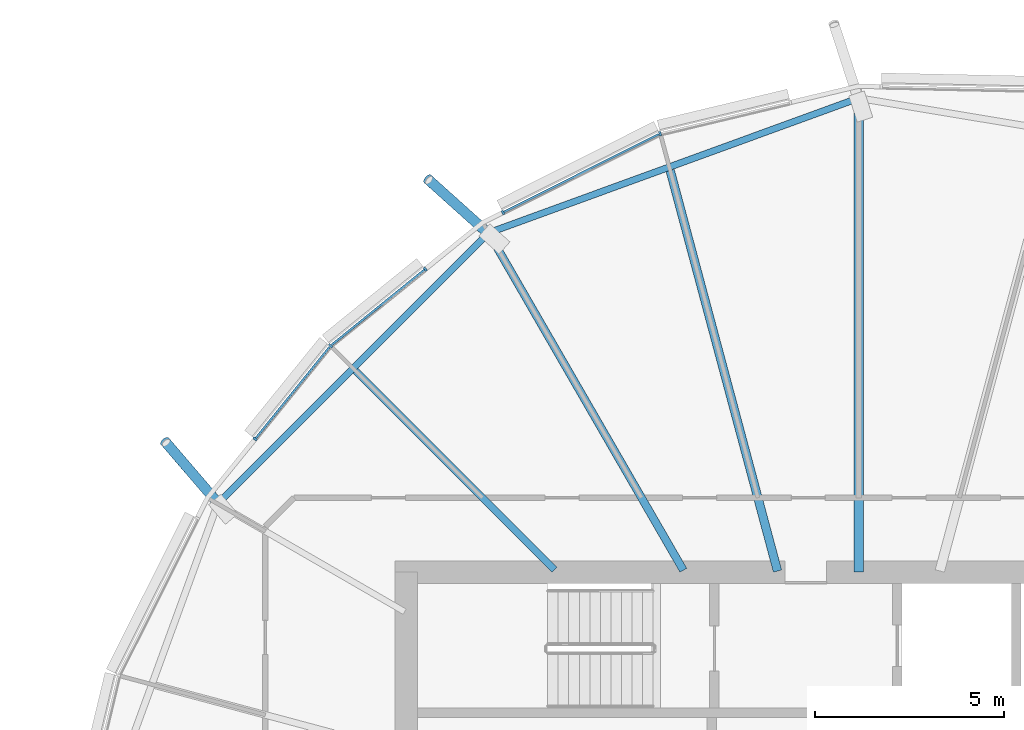
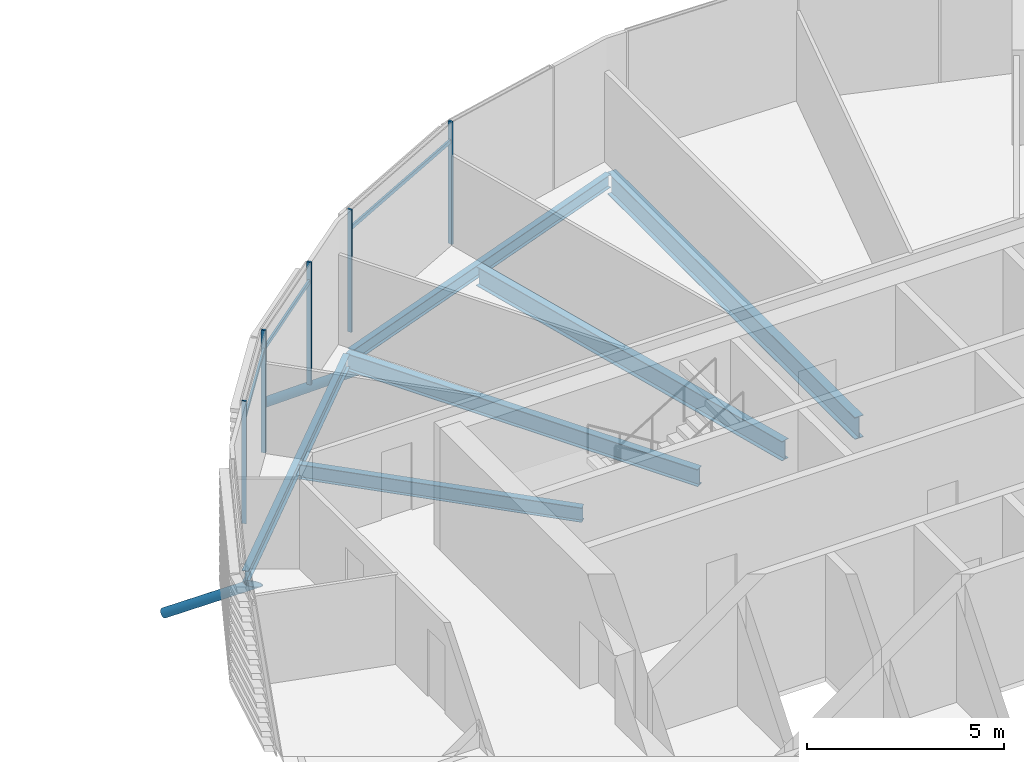
# One storey, part 15 of 36: 10 members, 6 beams, 1 element without a shape of its own.
"""IFC4 building model written with IfcOpenShell, lengths in metres."""

from ifc_helpers import new_model, si_unit, direction, frame, origin, origin_2d, place, context, subcontext, project, spatial, rectangle, hollow_circle, i_section, extrude, clip, halfspace, material, material_profile, profile_set, type_object, element, aggregate, save


model = new_model("IFC4")

# Units and contexts
model_context = context("Model", 3, precision=1e-05, world=origin(), true_north=direction((0.0, 1.0)))
body_context = subcontext(model_context, "Body", "Model", "MODEL_VIEW")
ifc_project = project(units=[si_unit("LENGTHUNIT", "METRE"), si_unit("AREAUNIT", "SQUARE_METRE"), si_unit("VOLUMEUNIT", "CUBIC_METRE"), si_unit("PLANEANGLEUNIT", "RADIAN"), si_unit("MASSUNIT", "GRAM", prefix="KILO")], contexts=[model_context])

# Site, building, storey
site_placement = place(None, origin())
site = spatial("IfcSite", under=ifc_project, at=site_placement, CompositionType="ELEMENT")
building_placement = place(site_placement, origin())
building = spatial("IfcBuilding", under=site, at=building_placement, Name="Rimbun Link Towers", CompositionType="ELEMENT")
storey_placement = place(building_placement, frame((0.0, 0.0, 174.10009765625)))
storey = spatial("IfcBuildingStorey", under=building, at=storey_placement, Name="L42", CompositionType="ELEMENT", Elevation=174.10009765625)

# Curtain wall, members
ifc_material_1 = material(Name="Aluminium 6063-T6 and low-iron glass", Category="aluminium")
curtain_wall_type = type_object("IfcCurtainWallType", Name="CW1-Z3 unitised vision wall (zone 3)", PredefinedType="NOTDEFINED", material=ifc_material_1)
curtain_wall_placement = place(storey_placement, origin())
curtain_wall = element("IfcCurtainWall", 1, at=curtain_wall_placement, inside=storey, type_object=curtain_wall_type, Name="CW1 L42 T2", PredefinedType="NOTDEFINED")
ifc_material_2 = material(Name="Aluminium 6063-T6", Category="aluminium")
ifc_material_profile_1 = material_profile(ifc_material_2, rectangle(XDim=0.1201171875, YDim=0.06005859375, at=origin_2d()), Name="MULLION 60X120")
ifc_profile_set_1 = profile_set([ifc_material_profile_1], Name="Aluminium 6063-T6")
member_type_1 = type_object("IfcMemberType", Name="CW1 mullion 60X120", PredefinedType="MULLION", material=ifc_profile_set_1)
member_1_placement = place(storey_placement, frame((26.4833984375, 19.634765625, 0.0), z_axis=(0.0, 0.0, 1.0), x_axis=(-0.342962048977, 0.939349260372, 0.0)))
member_1 = element("IfcMember", 2, at=member_1_placement, type_object=member_type_1, Name="CW1 mullion", PredefinedType="MULLION", context=body_context, shape_type="SweptSolid", body=[
    extrude(rectangle(XDim=0.1201171875, YDim=0.06005859375, at=origin_2d()), origin(), (0.0, 0.0, 1.0), 3.7998046875),
])
member_2_placement = place(storey_placement, frame((22.317138671875, 17.54296875, 0.0), z_axis=(0.0, 0.0, 1.0), x_axis=(-0.44877333613, 0.893645619235, 0.0)))
member_2 = element("IfcMember", 3, at=member_2_placement, type_object=member_type_1, Name="CW1 mullion", PredefinedType="MULLION", context=body_context, shape_type="SweptSolid", body=[
    extrude(rectangle(XDim=0.1201171875, YDim=0.06005859375, at=origin_2d()), origin(), (0.0, 0.0, 1.0), 3.7998046875),
])
member_3_placement = place(storey_placement, frame((17.7431640625, 14.0068359375, 0.0), z_axis=(0.0, 0.0, 1.0), x_axis=(-0.707106781187, 0.707106781187, 0.0)))
member_3 = element("IfcMember", 4, at=member_3_placement, type_object=member_type_1, Name="CW1 mullion", PredefinedType="MULLION", context=body_context, shape_type="SweptSolid", body=[
    extrude(rectangle(XDim=0.1201171875, YDim=0.06005859375, at=origin_2d()), origin(), (0.0, 0.0, 1.0), 3.7998046875),
])
member_4_placement = place(storey_placement, frame((20.25439453125, 16.0400390625, 0.0), z_axis=(0.0, 0.0, 1.0), x_axis=(-0.629157646962, 0.777277720811, 0.0)))
member_4 = element("IfcMember", 5, at=member_4_placement, type_object=member_type_1, Name="CW1 mullion", PredefinedType="MULLION", context=body_context, shape_type="SweptSolid", body=[
    extrude(rectangle(XDim=0.1201171875, YDim=0.06005859375, at=origin_2d()), origin(), (0.0, 0.0, 1.0), 3.7998046875),
])
member_5_placement = place(storey_placement, frame((15.741455078125, 11.534423828125, 0.0), z_axis=(0.0, 0.0, 1.0), x_axis=(-0.777277720811, 0.629157646962, 0.0)))
member_5 = element("IfcMember", 6, at=member_5_placement, type_object=member_type_1, Name="CW1 mullion", PredefinedType="MULLION", context=body_context, shape_type="SweptSolid", body=[
    extrude(rectangle(XDim=0.1201171875, YDim=0.06005859375, at=origin_2d()), origin(), (0.0, 0.0, 1.0), 3.7998046875),
])
ifc_material_3 = material(Name="Aluminium 6063-T6", Category="aluminium")
ifc_material_profile_2 = material_profile(ifc_material_3, rectangle(XDim=0.06005859375, YDim=0.1201171875, at=origin_2d()), Name="TRANSOM 60X120")
ifc_profile_set_2 = profile_set([ifc_material_profile_2], Name="Aluminium 6063-T6")
member_type_2 = type_object("IfcMemberType", Name="CW1 transom 60X120", PredefinedType="USERDEFINED", material=ifc_profile_set_2)
member_6_placement = place(storey_placement, frame((22.344970703125, 17.5546875, 3.199951171875), z_axis=(0.893628789195, 0.448806848346, 0.0), x_axis=(-0.448806848346, 0.893628789195, 0.0)))
member_6 = element("IfcMember", 7, at=member_6_placement, type_object=member_type_2, Name="CW1 transom", ObjectType="TRANSOM", PredefinedType="USERDEFINED", context=body_context, shape_type="SweptSolid", body=[
    extrude(rectangle(XDim=0.06005859375, YDim=0.1201171875, at=origin_2d()), origin(), (0.0, 0.0, 1.0), 4.594970703125),
])
member_7_placement = place(storey_placement, frame((17.7724609375, 14.0283203125, 3.199951171875), z_axis=(0.777273612878, 0.629162721976, 0.0), x_axis=(-0.629162721976, 0.777273612878, 0.0)))
member_7 = element("IfcMember", 8, at=member_7_placement, type_object=member_type_2, Name="CW1 transom", ObjectType="TRANSOM", PredefinedType="USERDEFINED", context=body_context, shape_type="SweptSolid", body=[
    extrude(rectangle(XDim=0.06005859375, YDim=0.1201171875, at=origin_2d()), origin(), (0.0, 0.0, 1.0), 3.164794921875),
])
member_8_placement = place(storey_placement, frame((15.761962890625, 11.556396484375, 3.199951171875), z_axis=(0.629148623112, 0.777285024966, 0.0), x_axis=(-0.777285024966, 0.629148623112, 0.0)))
member_8 = element("IfcMember", 9, at=member_8_placement, type_object=member_type_2, Name="CW1 transom", ObjectType="TRANSOM", PredefinedType="USERDEFINED", context=body_context, shape_type="SweptSolid", body=[
    extrude(rectangle(XDim=0.06005859375, YDim=0.1201171875, at=origin_2d()), origin(), (0.0, 0.0, 1.0), 3.114990234375),
])
aggregate(curtain_wall, [member_1, member_2, member_3, member_4, member_5, member_6, member_7, member_8])

# Members
ifc_material_4 = material(Name="Steel S355J2H", Category="steel")
ifc_material_profile_3 = material_profile(ifc_material_4, hollow_circle(Radius=0.136474609375, WallThickness=0.012451171875, at=origin_2d()), Name="CHS 273x12.5")
ifc_profile_set_3 = profile_set([ifc_material_profile_3], Name="Steel S355J2H")
member_type_3 = type_object("IfcMemberType", Name="Floor edge link CHS 273x12.5", PredefinedType="BRACE", material=ifc_profile_set_3)
member_9_placement = place(storey_placement, frame((21.95947265625, 16.957763671875, -0.8017578125), z_axis=(-0.648522207898, 0.582409319216, -0.490120730794), x_axis=(-0.668165288161, -0.744012867964, 0.0)))
element("IfcMember", 10, at=member_9_placement, inside=storey, type_object=member_type_3, Name="Floor edge link T2 L42 05", PredefinedType="BRACE", context=body_context, shape_type="Clipping", body=[
    clip(extrude(hollow_circle(Radius=0.136474609375, WallThickness=0.012451171875, at=origin_2d()), frame((0.0, 0.0, -0.505859375)), (0.0, 0.0, 1.0), 3.042724609375), halfspace(frame((0.0, 0.0, -0.23779296875), z_axis=(0.0, 0.871654558438, -0.490120730794)), False)),
])
member_10_placement = place(storey_placement, frame((14.792236328125, 9.79052734375, -0.56982421875), z_axis=(-0.556526662892, 0.648842403257, -0.518923509994), x_axis=(-0.759039200027, -0.651044923813, 0.0)))
element("IfcMember", 11, at=member_10_placement, inside=storey, type_object=member_type_3, Name="Floor edge link T2 L42 07", PredefinedType="BRACE", context=body_context, shape_type="Clipping", body=[
    clip(extrude(hollow_circle(Radius=0.136474609375, WallThickness=0.012451171875, at=origin_2d()), frame((0.0, 0.0, -0.468994140625)), (0.0, 0.0, 1.0), 3.06591796875), halfspace(frame((0.0, 0.0, -0.22021484375), z_axis=(0.0, 0.854820677555, -0.518923509994)), False)),
])

# Beams
ifc_material_5 = material(Name="Steel S355J2", Category="steel")
ifc_material_profile_4 = material_profile(ifc_material_5, i_section(OverallWidth=0.177978515625, OverallDepth=0.406494140625, WebThickness=0.0078125, FlangeThickness=0.0126953125, at=origin_2d()), Name="UB 406x178x60")
ifc_profile_set_4 = profile_set([ifc_material_profile_4], Name="Steel S355J2")
beam_type_1 = type_object("IfcBeamType", Name="UB 406x178x60", PredefinedType="BEAM", material=ifc_profile_set_4)
beam_1_placement = place(storey_placement, frame((31.622314453125, 20.529541015625, -0.353271484375), z_axis=(-0.939613749302, -0.342236763255, 0.0), x_axis=(0.342236763255, -0.939613749302, 0.0)))
element("IfcBeam", 12, at=beam_1_placement, inside=storey, type_object=beam_type_1, Name="Edge beam T2 L42 03-05", PredefinedType="BEAM", context=body_context, shape_type="SweptSolid", body=[
    extrude(i_section(OverallWidth=0.177978515625, OverallDepth=0.406494140625, WebThickness=0.0078125, FlangeThickness=0.0126953125, at=origin_2d()), origin(), (0.0, 0.0, 1.0), 10.203369140625),
])
beam_2_placement = place(storey_placement, frame((21.857177734375, 16.923583984375, -0.353271484375), z_axis=(-0.707119029808, -0.707094532353, 0.0), x_axis=(0.707094532353, -0.707119029808, 0.0)))
element("IfcBeam", 13, at=beam_2_placement, inside=storey, type_object=beam_type_1, Name="Edge beam T2 L42 05-07", PredefinedType="BEAM", context=body_context, shape_type="SweptSolid", body=[
    extrude(i_section(OverallWidth=0.177978515625, OverallDepth=0.406494140625, WebThickness=0.0078125, FlangeThickness=0.0126953125, at=origin_2d()), origin(), (0.0, 0.0, 1.0), 9.966064453125),
])
ifc_material_6 = material(Name="Steel S355J2", Category="steel")
ifc_material_profile_5 = material_profile(ifc_material_6, i_section(OverallWidth=0.18994140625, OverallDepth=0.453369140625, WebThickness=0.008544921875, FlangeThickness=0.0126953125, at=origin_2d()), Name="UB 457x191x67")
ifc_profile_set_5 = profile_set([ifc_material_profile_5], Name="Steel S355J2")
beam_type_2 = type_object("IfcBeamType", Name="UB 457x191x67", PredefinedType="BEAM", material=ifc_profile_set_5)
beam_3_placement = place(storey_placement, frame((23.68212890625, 8.06787109375, -0.376708984375), z_axis=(-0.707106781187, 0.707106781187, 0.0), x_axis=(-0.707106781187, -0.707106781187, 0.0)))
element("IfcBeam", 14, at=beam_3_placement, inside=storey, type_object=beam_type_2, Name="Radial beam T2 L42 06", PredefinedType="BEAM", context=body_context, shape_type="SweptSolid", body=[
    extrude(i_section(OverallWidth=0.18994140625, OverallDepth=0.453369140625, WebThickness=0.008544921875, FlangeThickness=0.0126953125, at=origin_2d()), origin(), (0.0, 0.0, 1.0), 7.462646484375),
])
ifc_material_7 = material(Name="Steel S355J2", Category="steel")
ifc_material_profile_6 = material_profile(ifc_material_7, i_section(OverallWidth=0.209228515625, OverallDepth=0.533203125, WebThickness=0.010009765625, FlangeThickness=0.015625, at=origin_2d()), Name="UB 533x210x92")
ifc_profile_set_6 = profile_set([ifc_material_profile_6], Name="Steel S355J2")
beam_type_3 = type_object("IfcBeamType", Name="UB 533x210x92", PredefinedType="BEAM", material=ifc_profile_set_6)
beam_4_placement = place(storey_placement, frame((27.1005859375, 8.05322265625, -0.416748046875), z_axis=(-0.500001996123, 0.866024251319, 0.0), x_axis=(-0.866024251319, -0.500001996123, 0.0)))
element("IfcBeam", 15, at=beam_4_placement, inside=storey, type_object=beam_type_3, Name="Radial beam T2 L42 05", PredefinedType="BEAM", context=body_context, shape_type="SweptSolid", body=[
    extrude(i_section(OverallWidth=0.209228515625, OverallDepth=0.533203125, WebThickness=0.010009765625, FlangeThickness=0.015625, at=origin_2d()), origin(), (0.0, 0.0, 1.0), 10.33203125),
])
ifc_material_8 = material(Name="Steel S355J2", Category="steel")
ifc_material_profile_7 = material_profile(ifc_material_8, i_section(OverallWidth=0.2275390625, OverallDepth=0.6025390625, WebThickness=0.010498046875, FlangeThickness=0.014892578125, at=origin_2d()), Name="UB 610x229x101")
ifc_profile_set_7 = profile_set([ifc_material_profile_7], Name="Steel S355J2")
beam_type_4 = type_object("IfcBeamType", Name="UB 610x229x101", PredefinedType="BEAM", material=ifc_profile_set_7)
beam_5_placement = place(storey_placement, frame((29.598388671875, 8.030517578125, -0.451416015625), z_axis=(-0.258836266354, 0.965921211704, 0.0), x_axis=(-0.965921211704, -0.258836266354, 0.0)))
element("IfcBeam", 16, at=beam_5_placement, inside=storey, type_object=beam_type_4, Name="Radial beam T2 L42 04", PredefinedType="BEAM", context=body_context, shape_type="SweptSolid", body=[
    extrude(i_section(OverallWidth=0.2275390625, OverallDepth=0.6025390625, WebThickness=0.010498046875, FlangeThickness=0.014892578125, at=origin_2d()), origin(), (0.0, 0.0, 1.0), 11.003662109375),
])
ifc_material_9 = material(Name="Steel S355J2", Category="steel")
ifc_material_profile_8 = material_profile(ifc_material_9, i_section(OverallWidth=0.253662109375, OverallDepth=0.68359375, WebThickness=0.012451171875, FlangeThickness=0.01904296875, at=origin_2d()), Name="UB 686x254x140")
ifc_profile_set_8 = profile_set([ifc_material_profile_8], Name="Steel S355J2")
beam_type_5 = type_object("IfcBeamType", Name="UB 686x254x140", PredefinedType="BEAM", material=ifc_profile_set_8)
beam_6_placement = place(storey_placement, frame((31.75, 8.0009765625, -0.491943359375), z_axis=(0.0, 1.0, 0.0), x_axis=(-1.0, 0.0, 0.0)))
element("IfcBeam", 17, at=beam_6_placement, inside=storey, type_object=beam_type_5, Name="Radial beam T2 L42 03", PredefinedType="BEAM", context=body_context, shape_type="SweptSolid", body=[
    extrude(i_section(OverallWidth=0.253662109375, OverallDepth=0.68359375, WebThickness=0.012451171875, FlangeThickness=0.01904296875, at=origin_2d()), origin(), (0.0, 0.0, 1.0), 12.5751953125),
])

save(model, "model.ifc")
